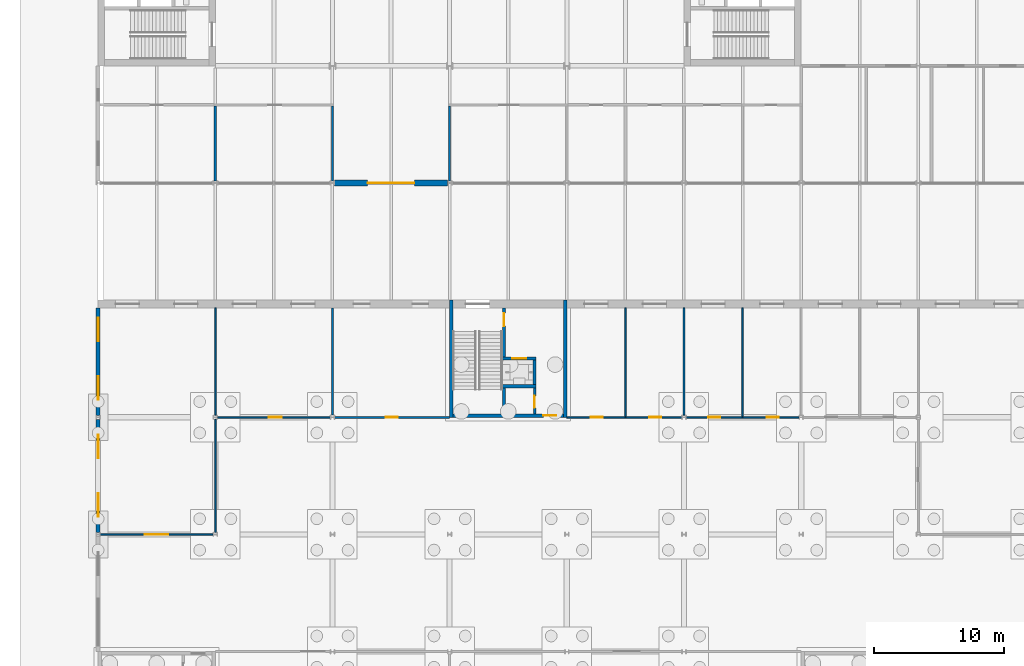
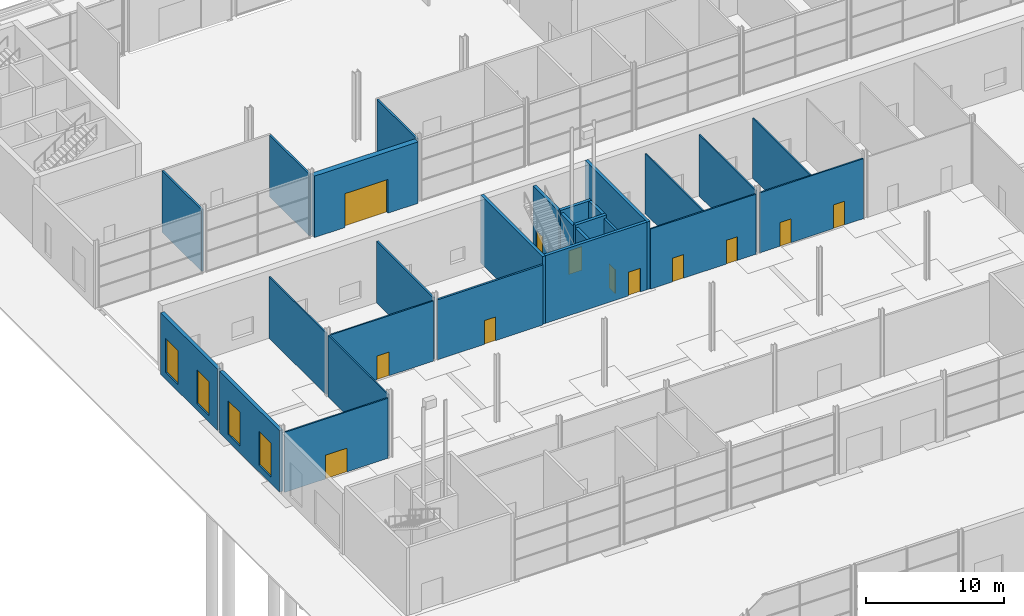
# One storey, part 66 of 97: 25 walls, 12 doors, 4 windows, 16 openings.
"""IFC4 building model written with IfcOpenShell, lengths in metres."""

from ifc_helpers import new_model, si_unit, direction, frame, frame_2d, origin, place, context, subcontext, project, spatial, rectangle, extrude, material, layer, layer_set, type_object, element, fill, save


model = new_model("IFC4")

# Units and contexts
model_context = context("Model", 3, precision=1e-05, world=origin(), true_north=direction((0.0, 1.0)))
body_context = subcontext(model_context, "Body", "Model", "MODEL_VIEW")
ifc_project = project(units=[si_unit("LENGTHUNIT", "METRE"), si_unit("AREAUNIT", "SQUARE_METRE"), si_unit("VOLUMEUNIT", "CUBIC_METRE"), si_unit("PLANEANGLEUNIT", "RADIAN"), si_unit("MASSUNIT", "GRAM", prefix="KILO")], contexts=[model_context])

# Site, building, storey
site_placement = place(None, origin())
site = spatial("IfcSite", under=ifc_project, at=site_placement, CompositionType="ELEMENT")
building_placement = place(site_placement, origin())
building = spatial("IfcBuilding", under=site, at=building_placement, Name="Corbel Yard City Hall", CompositionType="ELEMENT")
storey_placement = place(building_placement, origin())
storey = spatial("IfcBuildingStorey", under=building, at=storey_placement, Name="L00", CompositionType="ELEMENT", Elevation=0.0)

# Walls
ifc_material_1 = material(Name="Concrete N50 (50 MPa)", Category="concrete")
ifc_layer_1 = layer(ifc_material_1, 0.25)
ifc_layer_set_1 = layer_set([ifc_layer_1], Name="Concrete N50 (50 MPa)")
wall_type_1 = type_object("IfcWallType", Name="Core cell wall 250", PredefinedType="SHEAR", material=ifc_layer_set_1)
for number, where, z_axis, x_axis, name in (
    (1, (27.125, 72.0, 0.0), (0.0, 0.0, 1.0), (0.0, 1.0, 0.0), "Core PC-M6 west wall"),
    (2, (35.875, 72.0, 0.0), (0.0, 0.0, 1.0), (0.0, 1.0, 0.0), "Core PC-M6 east wall"),
):
    element("IfcWall", number, at=place(storey_placement, frame(where, z_axis=z_axis, x_axis=x_axis)), inside=storey, type_object=wall_type_1, Name=name, PredefinedType="SHEAR", context=body_context, shape_type="SweptSolid", body=[
        extrude(rectangle(XDim=9.0, YDim=0.25, at=frame_2d((4.5, 0.0))), origin(), (0.0, 0.0, 1.0), 6.0),
    ])

# Wall, opening, door
wall_1_placement = place(storey_placement, frame((27.25, 72.125, 0.0), z_axis=(0.0, 0.0, 1.0), x_axis=(1.0, 0.0, 0.0)))
wall_1 = element("IfcWall", 3, at=wall_1_placement, inside=storey, type_object=wall_type_1, Name="Core PC-M6 south wall", PredefinedType="SHEAR", context=body_context, shape_type="SweptSolid", body=[
    extrude(rectangle(XDim=8.5, YDim=0.25, at=frame_2d((4.25, 0.0))), origin(), (0.0, 0.0, 1.0), 6.0),
])
opening_1_placement = place(wall_1_placement, frame((6.949951171875, 0.0, 0.0)))
opening_1 = element("IfcOpeningElement", 4, at=opening_1_placement, cuts=wall_1, Name="Opening L00-122", PredefinedType="OPENING", context=body_context, shape_type="SweptSolid", body=[
    extrude(rectangle(XDim=1.0, YDim=2.10009765625, at=frame_2d((0.5, 1.050048828125))), frame((0.0, 0.135009765625, 0.0), z_axis=(0.0, -1.0, 0.0), x_axis=(1.0, 0.0, 0.0)), (0.0, 0.0, 1.0), 0.27001953125),
])
ifc_material_2 = material(Name="Steel Grade G250", Category="steel")
door_type_1 = type_object("IfcDoorType", Name="FS1", OperationType="SINGLE_SWING_LEFT", PredefinedType="DOOR", material=ifc_material_2)
door_1_placement = place(opening_1_placement, origin())
door_1 = element("IfcDoor", 5, at=door_1_placement, inside=storey, type_object=door_type_1, Name="Door Lift Lobby", OperationType="SINGLE_SWING_LEFT", OverallHeight=2.10009765625, OverallWidth=1.0, PredefinedType="DOOR", context=body_context, shape_type="SweptSolid", body=[
    extrude(rectangle(XDim=1.0, YDim=2.10009765625, at=frame_2d((0.5, 1.050048828125))), frame((0.0, 0.02490234375, 0.0), z_axis=(0.0, -1.0, 0.0), x_axis=(1.0, 0.0, 0.0)), (0.0, 0.0, 1.0), 0.050048828125),
])
fill(opening_1, door_1)

# Wall, openings, windows
ifc_material_3 = material(Name="Sandstone cladding", Category="masonry")
ifc_layer_2 = layer(ifc_material_3, 0.0400390625)
ifc_material_4 = material(Name="Air cavity", Category="air")
ifc_layer_3 = layer(ifc_material_4, 0.0400390625)
ifc_material_5 = material(Name="Concrete block", Category="concrete")
ifc_layer_4 = layer(ifc_material_5, 0.18994140625)
ifc_material_6 = material(Name="Gypsum plasterboard", Category="gypsum")
ifc_layer_5 = layer(ifc_material_6, 0.030029296875)
ifc_layer_set_2 = layer_set([ifc_layer_2, ifc_layer_3, ifc_layer_4, ifc_layer_5], Name="Concrete block")
wall_type_2 = type_object("IfcWallType", Name="EW1", PredefinedType="SOLIDWALL", material=ifc_layer_set_2)
wall_2_placement = place(storey_placement, frame((0.0, 63.153564453125, 0.0), z_axis=(0.0, 0.0, 1.0), x_axis=(0.0, 1.0, 0.0)))
wall_2 = element("IfcWall", 6, at=wall_2_placement, inside=storey, type_object=wall_type_2, Name="External wall", PredefinedType="SOLIDWALL", context=body_context, shape_type="SweptSolid", body=[
    extrude(rectangle(XDim=8.69287109375, YDim=0.300048828125, at=frame_2d((4.346435546875, 0.0))), origin(), (0.0, 0.0, 1.0), 5.444091796875),
])
opening_2_placement = place(wall_2_placement, frame((1.196533203125, 0.0, 0.60009765625)))
opening_2 = element("IfcOpeningElement", 7, at=opening_2_placement, cuts=wall_2, Name="Opening WN2", PredefinedType="OPENING", context=body_context, shape_type="SweptSolid", body=[
    extrude(rectangle(XDim=1.800048828125, YDim=3.0, at=frame_2d((0.89990234375, 1.5))), frame((0.0, 0.159912109375, 0.0), z_axis=(0.0, -1.0, 0.0), x_axis=(1.0, 0.0, 0.0)), (0.0, 0.0, 1.0), 0.320068359375),
])
opening_3_placement = place(wall_2_placement, frame((5.696533203125, 0.0, 0.60009765625)))
opening_3 = element("IfcOpeningElement", 8, at=opening_3_placement, cuts=wall_2, Name="Opening WN2", PredefinedType="OPENING", context=body_context, shape_type="SweptSolid", body=[
    extrude(rectangle(XDim=1.800048828125, YDim=3.0, at=frame_2d((0.89990234375, 1.5))), frame((0.0, 0.159912109375, 0.0), z_axis=(0.0, -1.0, 0.0), x_axis=(1.0, 0.0, 0.0)), (0.0, 0.0, 1.0), 0.320068359375),
])
ifc_material_7 = material(Name="Aluminium frame, double glazed low-e glass", Category="aluminium")
window_type = type_object("IfcWindowType", Name="WN2", PartitioningType="SINGLE_PANEL", PredefinedType="WINDOW", material=ifc_material_7)
window_1_placement = place(opening_2_placement, origin())
window_1 = element("IfcWindow", 9, at=window_1_placement, inside=storey, type_object=window_type, Name="Window WN2 L00", OverallHeight=3.0, OverallWidth=1.800048828125, PartitioningType="SINGLE_PANEL", PredefinedType="WINDOW", context=body_context, shape_type="SweptSolid", body=[
    extrude(rectangle(XDim=1.800048828125, YDim=3.0, at=frame_2d((0.89990234375, 1.5))), frame((0.0, 0.030029296875, 0.0), z_axis=(0.0, -1.0, 0.0), x_axis=(1.0, 0.0, 0.0)), (0.0, 0.0, 1.0), 0.06005859375),
])
fill(opening_2, window_1)
window_2_placement = place(opening_3_placement, origin())
window_2 = element("IfcWindow", 10, at=window_2_placement, inside=storey, type_object=window_type, Name="Window WN2 L00", OverallHeight=3.0, OverallWidth=1.800048828125, PartitioningType="SINGLE_PANEL", PredefinedType="WINDOW", context=body_context, shape_type="SweptSolid", body=[
    extrude(rectangle(XDim=1.800048828125, YDim=3.0, at=frame_2d((0.89990234375, 1.5))), frame((0.0, 0.030029296875, 0.0), z_axis=(0.0, -1.0, 0.0), x_axis=(1.0, 0.0, 0.0)), (0.0, 0.0, 1.0), 0.06005859375),
])
fill(opening_3, window_2)

wall_3_placement = place(storey_placement, frame((0.0, 72.153564453125, 0.0), z_axis=(0.0, 0.0, 1.0), x_axis=(0.0, 1.0, 0.0)))
wall_3 = element("IfcWall", 11, at=wall_3_placement, inside=storey, type_object=wall_type_2, Name="External wall", PredefinedType="SOLIDWALL", context=body_context, shape_type="SweptSolid", body=[
    extrude(rectangle(XDim=8.246337890625, YDim=0.300048828125, at=frame_2d((4.123046875, 0.0))), origin(), (0.0, 0.0, 1.0), 5.444091796875),
])
opening_4_placement = place(wall_3_placement, frame((1.196533203125, 0.0, 0.60009765625)))
opening_4 = element("IfcOpeningElement", 12, at=opening_4_placement, cuts=wall_3, Name="Opening WN2", PredefinedType="OPENING", context=body_context, shape_type="SweptSolid", body=[
    extrude(rectangle(XDim=1.800048828125, YDim=3.0, at=frame_2d((0.89990234375, 1.5))), frame((0.0, 0.159912109375, 0.0), z_axis=(0.0, -1.0, 0.0), x_axis=(1.0, 0.0, 0.0)), (0.0, 0.0, 1.0), 0.320068359375),
])
opening_5_placement = place(wall_3_placement, frame((5.696533203125, 0.0, 0.60009765625)))
opening_5 = element("IfcOpeningElement", 13, at=opening_5_placement, cuts=wall_3, Name="Opening WN2", PredefinedType="OPENING", context=body_context, shape_type="SweptSolid", body=[
    extrude(rectangle(XDim=1.800048828125, YDim=3.0, at=frame_2d((0.89990234375, 1.5))), frame((0.0, 0.159912109375, 0.0), z_axis=(0.0, -1.0, 0.0), x_axis=(1.0, 0.0, 0.0)), (0.0, 0.0, 1.0), 0.320068359375),
])
window_3_placement = place(opening_4_placement, origin())
window_3 = element("IfcWindow", 14, at=window_3_placement, inside=storey, type_object=window_type, Name="Window WN2 L00", OverallHeight=3.0, OverallWidth=1.800048828125, PartitioningType="SINGLE_PANEL", PredefinedType="WINDOW", context=body_context, shape_type="SweptSolid", body=[
    extrude(rectangle(XDim=1.800048828125, YDim=3.0, at=frame_2d((0.89990234375, 1.5))), frame((0.0, 0.030029296875, 0.0), z_axis=(0.0, -1.0, 0.0), x_axis=(1.0, 0.0, 0.0)), (0.0, 0.0, 1.0), 0.06005859375),
])
fill(opening_4, window_3)
window_4_placement = place(opening_5_placement, origin())
window_4 = element("IfcWindow", 15, at=window_4_placement, inside=storey, type_object=window_type, Name="Window WN2 L00", OverallHeight=3.0, OverallWidth=1.800048828125, PartitioningType="SINGLE_PANEL", PredefinedType="WINDOW", context=body_context, shape_type="SweptSolid", body=[
    extrude(rectangle(XDim=1.800048828125, YDim=3.0, at=frame_2d((0.89990234375, 1.5))), frame((0.0, 0.030029296875, 0.0), z_axis=(0.0, -1.0, 0.0), x_axis=(1.0, 0.0, 0.0)), (0.0, 0.0, 1.0), 0.06005859375),
])
fill(opening_5, window_4)

# Wall, opening, door
ifc_layer_6 = layer(ifc_material_3, 0.06005859375)
ifc_layer_7 = layer(ifc_material_4, 0.0400390625)
ifc_material_8 = material(Name="Concrete N40 (40 MPa)", Category="concrete")
ifc_layer_8 = layer(ifc_material_8, 0.25)
ifc_material_9 = material(Name="Mineral wool", Category="insulation")
ifc_layer_9 = layer(ifc_material_9, 0.10009765625)
ifc_layer_set_3 = layer_set([ifc_layer_6, ifc_layer_7, ifc_layer_8, ifc_layer_9], Name="Concrete N40 (40 MPa)")
wall_type_3 = type_object("IfcWallType", Name="EW2", PredefinedType="SOLIDWALL", material=ifc_layer_set_3)
wall_4_placement = place(storey_placement, frame((18.157470703125, 90.0, 0.0), z_axis=(0.0, 0.0, 1.0), x_axis=(1.0, 0.0, 0.0)))
wall_4 = element("IfcWall", 16, at=wall_4_placement, inside=storey, type_object=wall_type_3, Name="Entrance pier wall", PredefinedType="SOLIDWALL", context=body_context, shape_type="SweptSolid", body=[
    extrude(rectangle(XDim=8.68505859375, YDim=0.449951171875, at=frame_2d((4.342529296875, 0.0))), origin(), (0.0, 0.0, 1.0), 5.444091796875),
])
opening_6_placement = place(wall_4_placement, frame((2.54248046875, 0.0, 0.0)))
opening_6 = element("IfcOpeningElement", 17, at=opening_6_placement, cuts=wall_4, Name="Opening L00-019", PredefinedType="OPENING", context=body_context, shape_type="SweptSolid", body=[
    extrude(rectangle(XDim=3.60009765625, YDim=3.0, at=frame_2d((1.800048828125, 1.5))), frame((0.0, 0.23486328125, 0.0), z_axis=(0.0, -1.0, 0.0), x_axis=(1.0, 0.0, 0.0)), (0.0, 0.0, 1.0), 0.469970703125),
])
ifc_material_10 = material(Name="Aluminium frame, toughened laminated glass", Category="aluminium")
door_type_2 = type_object("IfcDoorType", Name="XD9", OperationType="DOUBLE_DOOR_SINGLE_SWING", PredefinedType="DOOR", material=ifc_material_10)
door_2_placement = place(opening_6_placement, frame((3.60009765625, 0.0, 0.0), z_axis=(0.0, 0.0, 1.0), x_axis=(-1.0, 0.0, 0.0)))
door_2 = element("IfcDoor", 18, at=door_2_placement, inside=storey, type_object=door_type_2, Name="Tower lobby entrance court door 1", OperationType="DOUBLE_DOOR_SINGLE_SWING", OverallHeight=3.0, OverallWidth=3.60009765625, PredefinedType="DOOR", context=body_context, shape_type="SweptSolid", body=[
    extrude(rectangle(XDim=3.60009765625, YDim=3.0, at=frame_2d((1.800048828125, 1.5))), frame((0.0, 0.02490234375, 0.0), z_axis=(0.0, -1.0, 0.0), x_axis=(1.0, 0.0, 0.0)), (0.0, 0.0, 1.0), 0.050048828125),
])
fill(opening_6, door_2)

ifc_layer_10 = layer(ifc_material_8, 0.25)
ifc_layer_set_4 = layer_set([ifc_layer_10], Name="Concrete N40 (40 MPa)")
wall_type_4 = type_object("IfcWallType", Name="IW2", PredefinedType="SOLIDWALL", material=ifc_layer_set_4)
wall_5_placement = place(storey_placement, frame((31.175048828125, 80.39990234375, 0.0), z_axis=(0.0, 0.0, 1.0), x_axis=(0.0, -1.0, 0.0)))
wall_5 = element("IfcWall", 19, at=wall_5_placement, inside=storey, type_object=wall_type_4, Name="Stair enclosure wall", PredefinedType="SOLIDWALL", context=body_context, shape_type="SweptSolid", body=[
    extrude(rectangle(XDim=8.14990234375, YDim=0.25, at=frame_2d((4.074951171875, 0.0))), origin(), (0.0, 0.0, 1.0), 5.75),
])
opening_7_placement = place(wall_5_placement, frame((0.39990234375, 0.0, 0.0)))
opening_7 = element("IfcOpeningElement", 20, at=opening_7_placement, cuts=wall_5, Name="Opening L00-121", PredefinedType="OPENING", context=body_context, shape_type="SweptSolid", body=[
    extrude(rectangle(XDim=1.0, YDim=2.10009765625, at=frame_2d((0.5, 1.050048828125))), frame((0.0, 0.135009765625, 0.0), z_axis=(0.0, -1.0, 0.0), x_axis=(1.0, 0.0, 0.0)), (0.0, 0.0, 1.0), 0.27001953125),
])
door_3_placement = place(opening_7_placement, frame((1.0, 0.0, 0.0), z_axis=(0.0, 0.0, 1.0), x_axis=(-1.0, 0.0, 0.0)))
door_3 = element("IfcDoor", 21, at=door_3_placement, inside=storey, type_object=door_type_1, Name="Door Exit Stair 13", OperationType="SINGLE_SWING_RIGHT", OverallHeight=2.10009765625, OverallWidth=1.0, PredefinedType="DOOR", context=body_context, shape_type="SweptSolid", body=[
    extrude(rectangle(XDim=1.0, YDim=2.10009765625, at=frame_2d((0.5, 1.050048828125))), frame((0.0, 0.02490234375, 0.0), z_axis=(0.0, -1.0, 0.0), x_axis=(1.0, 0.0, 0.0)), (0.0, 0.0, 1.0), 0.050048828125),
])
fill(opening_7, door_3)

# Wall
wall_6_placement = place(storey_placement, frame((31.050048828125, 74.375, -1.39990234375), z_axis=(0.0, 0.0, 1.0), x_axis=(1.0, 0.0, 0.0)))
element("IfcWall", 22, at=wall_6_placement, inside=storey, type_object=wall_type_4, Name="Lift LP13 shaft wall", PredefinedType="SOLIDWALL", context=body_context, shape_type="SweptSolid", body=[
    extrude(rectangle(XDim=2.599853515625, YDim=0.25, at=frame_2d((1.2998046875, 0.0))), origin(), (0.0, 0.0, 1.0), 7.39990234375),
])

# Wall, opening, door
wall_7_placement = place(storey_placement, frame((31.050048828125, 76.52490234375, -1.39990234375), z_axis=(0.0, 0.0, 1.0), x_axis=(1.0, 0.0, 0.0)))
wall_7 = element("IfcWall", 23, at=wall_7_placement, inside=storey, type_object=wall_type_4, Name="Lift LP13 shaft wall", PredefinedType="SOLIDWALL", context=body_context, shape_type="SweptSolid", body=[
    extrude(rectangle(XDim=2.599853515625, YDim=0.25, at=frame_2d((1.2998046875, 0.0))), origin(), (0.0, 0.0, 1.0), 7.39990234375),
])
opening_8_placement = place(wall_7_placement, frame((0.75, 0.0, 1.39990234375)))
opening_8 = element("IfcOpeningElement", 24, at=opening_8_placement, cuts=wall_7, Name="Opening L00-112", PredefinedType="OPENING", context=body_context, shape_type="SweptSolid", body=[
    extrude(rectangle(XDim=1.10009765625, YDim=2.10009765625, at=frame_2d((0.550048828125, 1.050048828125))), frame((0.0, 0.135009765625, 0.0), z_axis=(0.0, -1.0, 0.0), x_axis=(1.0, 0.0, 0.0)), (0.0, 0.0, 1.0), 0.27001953125),
])
ifc_material_11 = material(Name="Stainless steel Grade 316", Category="steel")
door_type_3 = type_object("IfcDoorType", Name="LD1", OperationType="DOUBLE_DOOR_SLIDING", PredefinedType="DOOR", material=ifc_material_11)
door_4_placement = place(opening_8_placement, origin())
door_4 = element("IfcDoor", 25, at=door_4_placement, inside=storey, type_object=door_type_3, Name="Lift LP13 landing door", OperationType="DOUBLE_DOOR_SLIDING", OverallHeight=2.10009765625, OverallWidth=1.10009765625, PredefinedType="DOOR", context=body_context, shape_type="SweptSolid", body=[
    extrude(rectangle(XDim=1.10009765625, YDim=2.10009765625, at=frame_2d((0.550048828125, 1.050048828125))), frame((0.0, 0.02490234375, 0.0), z_axis=(0.0, -1.0, 0.0), x_axis=(1.0, 0.0, 0.0)), (0.0, 0.0, 1.0), 0.050048828125),
])
fill(opening_8, door_4)

# Wall
wall_8_placement = place(storey_placement, frame((33.52490234375, 74.5, -1.39990234375), z_axis=(0.0, 0.0, 1.0), x_axis=(0.0, 1.0, 0.0)))
element("IfcWall", 26, at=wall_8_placement, inside=storey, type_object=wall_type_4, Name="Lift LP13 shaft wall", PredefinedType="SOLIDWALL", context=body_context, shape_type="SweptSolid", body=[
    extrude(rectangle(XDim=1.89990234375, YDim=0.25, at=frame_2d((0.949951171875, 0.0))), origin(), (0.0, 0.0, 1.0), 7.39990234375),
])

# Wall, opening, door
ifc_layer_11 = layer(ifc_material_6, 0.028076171875)
ifc_material_12 = material(Name="Steel Grade G550 (550 MPa yield)", Category="steel")
ifc_layer_12 = layer(ifc_material_12, 0.06396484375)
ifc_layer_13 = layer(ifc_material_6, 0.028076171875)
ifc_layer_set_5 = layer_set([ifc_layer_11, ifc_layer_12, ifc_layer_13], Name="Steel Grade G550 (550 MPa yield)")
wall_type_5 = type_object("IfcWallType", Name="PT1", PredefinedType="PARTITIONING", material=ifc_layer_set_5)
wall_9_placement = place(storey_placement, frame((0.157470703125, 63.0, 0.0), z_axis=(0.0, 0.0, 1.0), x_axis=(1.0, 0.0, 0.0)))
wall_9 = element("IfcWall", 27, at=wall_9_placement, inside=storey, type_object=wall_type_5, Name="Partition", PredefinedType="PARTITIONING", context=body_context, shape_type="SweptSolid", body=[
    extrude(rectangle(XDim=8.678955078125, YDim=0.1201171875, at=frame_2d((4.33935546875, 0.0))), origin(), (0.0, 0.0, 1.0), 5.322021484375),
])
opening_9_placement = place(wall_9_placement, frame((3.4423828125, 0.0, 0.0)))
opening_9 = element("IfcOpeningElement", 28, at=opening_9_placement, cuts=wall_9, Name="Opening L00-127", PredefinedType="OPENING", context=body_context, shape_type="SweptSolid", body=[
    extrude(rectangle(XDim=1.800048828125, YDim=2.10009765625, at=frame_2d((0.89990234375, 1.050048828125))), frame((0.0, 0.070068359375, 0.0), z_axis=(0.0, -1.0, 0.0), x_axis=(1.0, 0.0, 0.0)), (0.0, 0.0, 1.0), 0.14013671875),
])
ifc_material_13 = material(Name="Timber", Category="wood")
door_type_4 = type_object("IfcDoorType", Name="D3", OperationType="DOUBLE_DOOR_SINGLE_SWING", PredefinedType="DOOR", material=ifc_material_13)
door_5_placement = place(opening_9_placement, origin())
door_5 = element("IfcDoor", 29, at=door_5_placement, inside=storey, type_object=door_type_4, Name="Door Kids' Corner", OperationType="DOUBLE_DOOR_SINGLE_SWING", OverallHeight=2.10009765625, OverallWidth=1.800048828125, PredefinedType="DOOR", context=body_context, shape_type="SweptSolid", body=[
    extrude(rectangle(XDim=1.800048828125, YDim=2.10009765625, at=frame_2d((0.89990234375, 1.050048828125))), frame((0.0, 0.02490234375, 0.0), z_axis=(0.0, -1.0, 0.0), x_axis=(1.0, 0.0, 0.0)), (0.0, 0.0, 1.0), 0.050048828125),
])
fill(opening_9, door_5)

wall_10_placement = place(storey_placement, frame((9.16357421875, 72.0, 0.0), z_axis=(0.0, 0.0, 1.0), x_axis=(1.0, 0.0, 0.0)))
wall_10 = element("IfcWall", 30, at=wall_10_placement, inside=storey, type_object=wall_type_5, Name="Partition", PredefinedType="PARTITIONING", context=body_context, shape_type="SweptSolid", body=[
    extrude(rectangle(XDim=8.6728515625, YDim=0.1201171875, at=frame_2d((4.33642578125, 0.0))), origin(), (0.0, 0.0, 1.0), 5.322021484375),
])
opening_10_placement = place(wall_10_placement, frame((3.9365234375, 0.0, 0.0)))
opening_10 = element("IfcOpeningElement", 31, at=opening_10_placement, cuts=wall_10, Name="Opening L00-128", PredefinedType="OPENING", context=body_context, shape_type="SweptSolid", body=[
    extrude(rectangle(XDim=1.0, YDim=2.10009765625, at=frame_2d((0.5, 1.050048828125))), frame((0.0, 0.070068359375, 0.0), z_axis=(0.0, -1.0, 0.0), x_axis=(1.0, 0.0, 0.0)), (0.0, 0.0, 1.0), 0.14013671875),
])
door_type_5 = type_object("IfcDoorType", Name="D1", OperationType="SINGLE_SWING_LEFT", PredefinedType="DOOR", material=ifc_material_13)
door_6_placement = place(opening_10_placement, origin())
door_6 = element("IfcDoor", 32, at=door_6_placement, inside=storey, type_object=door_type_5, Name="Door IT Room", OperationType="SINGLE_SWING_RIGHT", OverallHeight=2.10009765625, OverallWidth=1.0, PredefinedType="DOOR", context=body_context, shape_type="SweptSolid", body=[
    extrude(rectangle(XDim=1.0, YDim=2.10009765625, at=frame_2d((0.5, 1.050048828125))), frame((0.0, 0.02490234375, 0.0), z_axis=(0.0, -1.0, 0.0), x_axis=(1.0, 0.0, 0.0)), (0.0, 0.0, 1.0), 0.050048828125),
])
fill(opening_10, door_6)

# Wall, openings, doors
wall_11_placement = place(storey_placement, frame((36.0, 72.0, 0.0), z_axis=(0.0, 0.0, 1.0), x_axis=(1.0, 0.0, 0.0)))
wall_11 = element("IfcWall", 33, at=wall_11_placement, inside=storey, type_object=wall_type_5, Name="Partition", PredefinedType="PARTITIONING", context=body_context, shape_type="SweptSolid", body=[
    extrude(rectangle(XDim=8.83642578125, YDim=0.1201171875, at=frame_2d((4.418212890625, 0.0))), origin(), (0.0, 0.0, 1.0), 5.322021484375),
])
opening_11_placement = place(wall_11_placement, frame((1.85009765625, 0.0, 0.0)))
opening_11 = element("IfcOpeningElement", 34, at=opening_11_placement, cuts=wall_11, Name="Opening L00-130", PredefinedType="OPENING", context=body_context, shape_type="SweptSolid", body=[
    extrude(rectangle(XDim=0.919921875, YDim=2.10009765625, at=frame_2d((0.4599609375, 1.050048828125))), frame((0.0, 0.070068359375, 0.0), z_axis=(0.0, -1.0, 0.0), x_axis=(1.0, 0.0, 0.0)), (0.0, 0.0, 1.0), 0.14013671875),
])
opening_12_placement = place(wall_11_placement, frame((6.35009765625, 0.0, 0.0)))
opening_12 = element("IfcOpeningElement", 35, at=opening_12_placement, cuts=wall_11, Name="Opening L00-131", PredefinedType="OPENING", context=body_context, shape_type="SweptSolid", body=[
    extrude(rectangle(XDim=0.919921875, YDim=2.10009765625, at=frame_2d((0.4599609375, 1.050048828125))), frame((0.0, 0.070068359375, 0.0), z_axis=(0.0, -1.0, 0.0), x_axis=(1.0, 0.0, 0.0)), (0.0, 0.0, 1.0), 0.14013671875),
])
door_type_6 = type_object("IfcDoorType", Name="D4", OperationType="SINGLE_SWING_LEFT", PredefinedType="DOOR", material=ifc_material_13)
door_7_placement = place(opening_11_placement, origin())
door_7 = element("IfcDoor", 36, at=door_7_placement, inside=storey, type_object=door_type_6, Name="Door Consultation Room 1", OperationType="SINGLE_SWING_RIGHT", OverallHeight=2.10009765625, OverallWidth=0.919921875, PredefinedType="DOOR", context=body_context, shape_type="SweptSolid", body=[
    extrude(rectangle(XDim=0.919921875, YDim=2.10009765625, at=frame_2d((0.4599609375, 1.050048828125))), frame((0.0, 0.02490234375, 0.0), z_axis=(0.0, -1.0, 0.0), x_axis=(1.0, 0.0, 0.0)), (0.0, 0.0, 1.0), 0.050048828125),
])
fill(opening_11, door_7)
door_8_placement = place(opening_12_placement, origin())
door_8 = element("IfcDoor", 37, at=door_8_placement, inside=storey, type_object=door_type_6, Name="Door Consultation Room 2", OperationType="SINGLE_SWING_RIGHT", OverallHeight=2.10009765625, OverallWidth=0.919921875, PredefinedType="DOOR", context=body_context, shape_type="SweptSolid", body=[
    extrude(rectangle(XDim=0.919921875, YDim=2.10009765625, at=frame_2d((0.4599609375, 1.050048828125))), frame((0.0, 0.02490234375, 0.0), z_axis=(0.0, -1.0, 0.0), x_axis=(1.0, 0.0, 0.0)), (0.0, 0.0, 1.0), 0.050048828125),
])
fill(opening_12, door_8)

wall_12_placement = place(storey_placement, frame((45.16357421875, 72.0, 0.0), z_axis=(0.0, 0.0, 1.0), x_axis=(1.0, 0.0, 0.0)))
wall_12 = element("IfcWall", 38, at=wall_12_placement, inside=storey, type_object=wall_type_5, Name="Partition", PredefinedType="PARTITIONING", context=body_context, shape_type="SweptSolid", body=[
    extrude(rectangle(XDim=8.6728515625, YDim=0.1201171875, at=frame_2d((4.33642578125, 0.0))), origin(), (0.0, 0.0, 1.0), 5.322021484375),
])
opening_13_placement = place(wall_12_placement, frame((1.6865234375, 0.0, 0.0)))
opening_13 = element("IfcOpeningElement", 39, at=opening_13_placement, cuts=wall_12, Name="Opening L00-132", PredefinedType="OPENING", context=body_context, shape_type="SweptSolid", body=[
    extrude(rectangle(XDim=0.919921875, YDim=2.10009765625, at=frame_2d((0.4599609375, 1.050048828125))), frame((0.0, 0.070068359375, 0.0), z_axis=(0.0, -1.0, 0.0), x_axis=(1.0, 0.0, 0.0)), (0.0, 0.0, 1.0), 0.14013671875),
])
opening_14_placement = place(wall_12_placement, frame((6.1865234375, 0.0, 0.0)))
opening_14 = element("IfcOpeningElement", 40, at=opening_14_placement, cuts=wall_12, Name="Opening L00-133", PredefinedType="OPENING", context=body_context, shape_type="SweptSolid", body=[
    extrude(rectangle(XDim=0.919921875, YDim=2.10009765625, at=frame_2d((0.4599609375, 1.050048828125))), frame((0.0, 0.070068359375, 0.0), z_axis=(0.0, -1.0, 0.0), x_axis=(1.0, 0.0, 0.0)), (0.0, 0.0, 1.0), 0.14013671875),
])
door_9_placement = place(opening_13_placement, origin())
door_9 = element("IfcDoor", 41, at=door_9_placement, inside=storey, type_object=door_type_6, Name="Door Consultation Room 3", OperationType="SINGLE_SWING_RIGHT", OverallHeight=2.10009765625, OverallWidth=0.919921875, PredefinedType="DOOR", context=body_context, shape_type="SweptSolid", body=[
    extrude(rectangle(XDim=0.919921875, YDim=2.10009765625, at=frame_2d((0.4599609375, 1.050048828125))), frame((0.0, 0.02490234375, 0.0), z_axis=(0.0, -1.0, 0.0), x_axis=(1.0, 0.0, 0.0)), (0.0, 0.0, 1.0), 0.050048828125),
])
fill(opening_13, door_9)
door_10_placement = place(opening_14_placement, origin())
door_10 = element("IfcDoor", 42, at=door_10_placement, inside=storey, type_object=door_type_6, Name="Door Consultation Room 4", OperationType="SINGLE_SWING_RIGHT", OverallHeight=2.10009765625, OverallWidth=0.919921875, PredefinedType="DOOR", context=body_context, shape_type="SweptSolid", body=[
    extrude(rectangle(XDim=0.919921875, YDim=2.10009765625, at=frame_2d((0.4599609375, 1.050048828125))), frame((0.0, 0.02490234375, 0.0), z_axis=(0.0, -1.0, 0.0), x_axis=(1.0, 0.0, 0.0)), (0.0, 0.0, 1.0), 0.050048828125),
])
fill(opening_14, door_10)

# Walls
wall_13_placement = place(storey_placement, frame((9.0, 63.16357421875, 0.0), z_axis=(0.0, 0.0, 1.0), x_axis=(0.0, 1.0, 0.0)))
element("IfcWall", 43, at=wall_13_placement, inside=storey, type_object=wall_type_5, Name="Partition", PredefinedType="PARTITIONING", context=body_context, shape_type="SweptSolid", body=[
    extrude(rectangle(XDim=8.6728515625, YDim=0.1201171875, at=frame_2d((4.33642578125, 0.0))), origin(), (0.0, 0.0, 1.0), 5.447021484375),
])
wall_14_placement = place(storey_placement, frame((9.0, 72.16357421875, 0.0), z_axis=(0.0, 0.0, 1.0), x_axis=(0.0, 1.0, 0.0)))
element("IfcWall", 44, at=wall_14_placement, inside=storey, type_object=wall_type_5, Name="Partition", PredefinedType="PARTITIONING", context=body_context, shape_type="SweptSolid", body=[
    extrude(rectangle(XDim=8.236328125, YDim=0.1201171875, at=frame_2d((4.1181640625, 0.0))), origin(), (0.0, 0.0, 1.0), 5.447021484375),
])
wall_15_placement = place(storey_placement, frame((40.5, 72.06005859375, 0.0), z_axis=(0.0, 0.0, 1.0), x_axis=(0.0, 1.0, 0.0)))
element("IfcWall", 45, at=wall_15_placement, inside=storey, type_object=wall_type_5, Name="Partition", PredefinedType="PARTITIONING", context=body_context, shape_type="SweptSolid", body=[
    extrude(rectangle(XDim=8.33984375, YDim=0.1201171875, at=frame_2d((4.169921875, 0.0))), origin(), (0.0, 0.0, 1.0), 5.322021484375),
])
wall_16_placement = place(storey_placement, frame((45.0, 72.16357421875, 0.0), z_axis=(0.0, 0.0, 1.0), x_axis=(0.0, 1.0, 0.0)))
element("IfcWall", 46, at=wall_16_placement, inside=storey, type_object=wall_type_5, Name="Partition", PredefinedType="PARTITIONING", context=body_context, shape_type="SweptSolid", body=[
    extrude(rectangle(XDim=8.236328125, YDim=0.1201171875, at=frame_2d((4.1181640625, 0.0))), origin(), (0.0, 0.0, 1.0), 5.447021484375),
])
wall_17_placement = place(storey_placement, frame((49.5, 72.06005859375, 0.0), z_axis=(0.0, 0.0, 1.0), x_axis=(0.0, 1.0, 0.0)))
element("IfcWall", 47, at=wall_17_placement, inside=storey, type_object=wall_type_5, Name="Partition", PredefinedType="PARTITIONING", context=body_context, shape_type="SweptSolid", body=[
    extrude(rectangle(XDim=8.33984375, YDim=0.1201171875, at=frame_2d((4.169921875, 0.0))), origin(), (0.0, 0.0, 1.0), 5.322021484375),
])

# Wall, opening, door
ifc_layer_14 = layer(ifc_material_6, 0.031982421875)
ifc_layer_15 = layer(ifc_material_12, 0.095947265625)
ifc_layer_16 = layer(ifc_material_6, 0.031982421875)
ifc_layer_set_6 = layer_set([ifc_layer_14, ifc_layer_15, ifc_layer_16], Name="Steel Grade G550 (550 MPa yield)")
wall_type_6 = type_object("IfcWallType", Name="PT3", PredefinedType="PARTITIONING", material=ifc_layer_set_6)
wall_18_placement = place(storey_placement, frame((18.16357421875, 72.0, 0.0), z_axis=(0.0, 0.0, 1.0), x_axis=(1.0, 0.0, 0.0)))
wall_18 = element("IfcWall", 48, at=wall_18_placement, inside=storey, type_object=wall_type_6, Name="Fire-resisting wall", PredefinedType="PARTITIONING", context=body_context, shape_type="SweptSolid", body=[
    extrude(rectangle(XDim=8.83642578125, YDim=0.159912109375, at=frame_2d((4.418212890625, 0.0))), origin(), (0.0, 0.0, 1.0), 5.322021484375),
])
opening_15_placement = place(wall_18_placement, frame((3.9365234375, 0.0, 0.0)))
opening_15 = element("IfcOpeningElement", 49, at=opening_15_placement, cuts=wall_18, Name="Opening L00-129", PredefinedType="OPENING", context=body_context, shape_type="SweptSolid", body=[
    extrude(rectangle(XDim=0.919921875, YDim=2.10009765625, at=frame_2d((0.4599609375, 1.050048828125))), frame((0.0, 0.08984375, 0.0), z_axis=(0.0, -1.0, 0.0), x_axis=(1.0, 0.0, 0.0)), (0.0, 0.0, 1.0), 0.179931640625),
])
door_type_7 = type_object("IfcDoorType", Name="FD5", OperationType="SINGLE_SWING_RIGHT", PredefinedType="DOOR", material=ifc_material_2)
door_11_placement = place(opening_15_placement, origin())
door_11 = element("IfcDoor", 50, at=door_11_placement, inside=storey, type_object=door_type_7, Name="Door Archive Store", OperationType="SINGLE_SWING_LEFT", OverallHeight=2.10009765625, OverallWidth=0.919921875, PredefinedType="DOOR", context=body_context, shape_type="SweptSolid", body=[
    extrude(rectangle(XDim=0.919921875, YDim=2.10009765625, at=frame_2d((0.4599609375, 1.050048828125))), frame((0.0, 0.02490234375, 0.0), z_axis=(0.0, -1.0, 0.0), x_axis=(1.0, 0.0, 0.0)), (0.0, 0.0, 1.0), 0.050048828125),
])
fill(opening_15, door_11)

# Walls
wall_19_placement = place(storey_placement, frame((18.0, 72.16357421875, 0.0), z_axis=(0.0, 0.0, 1.0), x_axis=(0.0, 1.0, 0.0)))
element("IfcWall", 51, at=wall_19_placement, inside=storey, type_object=wall_type_6, Name="Fire-resisting wall", PredefinedType="PARTITIONING", context=body_context, shape_type="SweptSolid", body=[
    extrude(rectangle(XDim=8.236328125, YDim=0.159912109375, at=frame_2d((4.1181640625, 0.0))), origin(), (0.0, 0.0, 1.0), 5.447021484375),
])
wall_20_placement = place(storey_placement, frame((9.0, 90.157470703125, 0.0), z_axis=(0.0, 0.0, 1.0), x_axis=(0.0, 1.0, 0.0)))
element("IfcWall", 52, at=wall_20_placement, inside=storey, type_object=wall_type_6, Name="Fire-resisting wall", PredefinedType="PARTITIONING", context=body_context, shape_type="SweptSolid", body=[
    extrude(rectangle(XDim=5.742431640625, YDim=0.159912109375, at=frame_2d((2.87109375, 0.0))), origin(), (0.0, 0.0, 1.0), 5.447021484375),
])
for number, where, z_axis, x_axis, name in (
    (53, (18.0, 90.157470703125, 0.0), (0.0, 0.0, 1.0), (0.0, 1.0, 0.0), "Fire-resisting wall"),
    (54, (27.0, 90.157470703125, 0.0), (0.0, 0.0, 1.0), (0.0, 1.0, 0.0), "Fire-resisting wall"),
):
    element("IfcWall", number, at=place(storey_placement, frame(where, z_axis=z_axis, x_axis=x_axis)), inside=storey, type_object=wall_type_6, Name=name, PredefinedType="PARTITIONING", context=body_context, shape_type="SweptSolid", body=[
        extrude(rectangle(XDim=5.762451171875, YDim=0.159912109375, at=frame_2d((2.88134765625, 0.0))), origin(), (0.0, 0.0, 1.0), 5.447021484375),
    ])

# Wall, opening, door
ifc_material_14 = material(Name="Concrete block", Category="concrete")
ifc_layer_17 = layer(ifc_material_14, 0.18994140625)
ifc_layer_set_7 = layer_set([ifc_layer_17], Name="Concrete block")
wall_type_7 = type_object("IfcWallType", Name="PT4", PredefinedType="PARTITIONING", material=ifc_layer_set_7)
wall_21_placement = place(storey_placement, frame((33.52490234375, 72.25, 0.0), z_axis=(0.0, 0.0, 1.0), x_axis=(0.0, 1.0, 0.0)))
wall_21 = element("IfcWall", 55, at=wall_21_placement, inside=storey, type_object=wall_type_7, Name="Fire-resisting block wall", PredefinedType="PARTITIONING", context=body_context, shape_type="SweptSolid", body=[
    extrude(rectangle(XDim=2.0, YDim=0.18994140625, at=frame_2d((1.0, 0.0))), origin(), (0.0, 0.0, 1.0), 5.75),
])
opening_16_placement = place(wall_21_placement, frame((0.4775390625, 0.0, 0.0)))
opening_16 = element("IfcOpeningElement", 56, at=opening_16_placement, cuts=wall_21, Name="Opening L00-123", PredefinedType="OPENING", context=body_context, shape_type="SweptSolid", body=[
    extrude(rectangle(XDim=0.919921875, YDim=2.10009765625, at=frame_2d((0.4599609375, 1.050048828125))), frame((0.0, 0.10498046875, 0.0), z_axis=(0.0, -1.0, 0.0), x_axis=(1.0, 0.0, 0.0)), (0.0, 0.0, 1.0), 0.2099609375),
])
door_type_8 = type_object("IfcDoorType", Name="FS5", OperationType="SINGLE_SWING_RIGHT", PredefinedType="DOOR", material=ifc_material_2)
door_12_placement = place(opening_16_placement, origin())
door_12 = element("IfcDoor", 57, at=door_12_placement, inside=storey, type_object=door_type_8, Name="Door Service Riser", OperationType="SINGLE_SWING_LEFT", OverallHeight=2.10009765625, OverallWidth=0.919921875, PredefinedType="DOOR", context=body_context, shape_type="SweptSolid", body=[
    extrude(rectangle(XDim=0.919921875, YDim=2.10009765625, at=frame_2d((0.4599609375, 1.050048828125))), frame((0.0, 0.02490234375, 0.0), z_axis=(0.0, -1.0, 0.0), x_axis=(1.0, 0.0, 0.0)), (0.0, 0.0, 1.0), 0.050048828125),
])
fill(opening_16, door_12)

save(model, "model.ifc")
